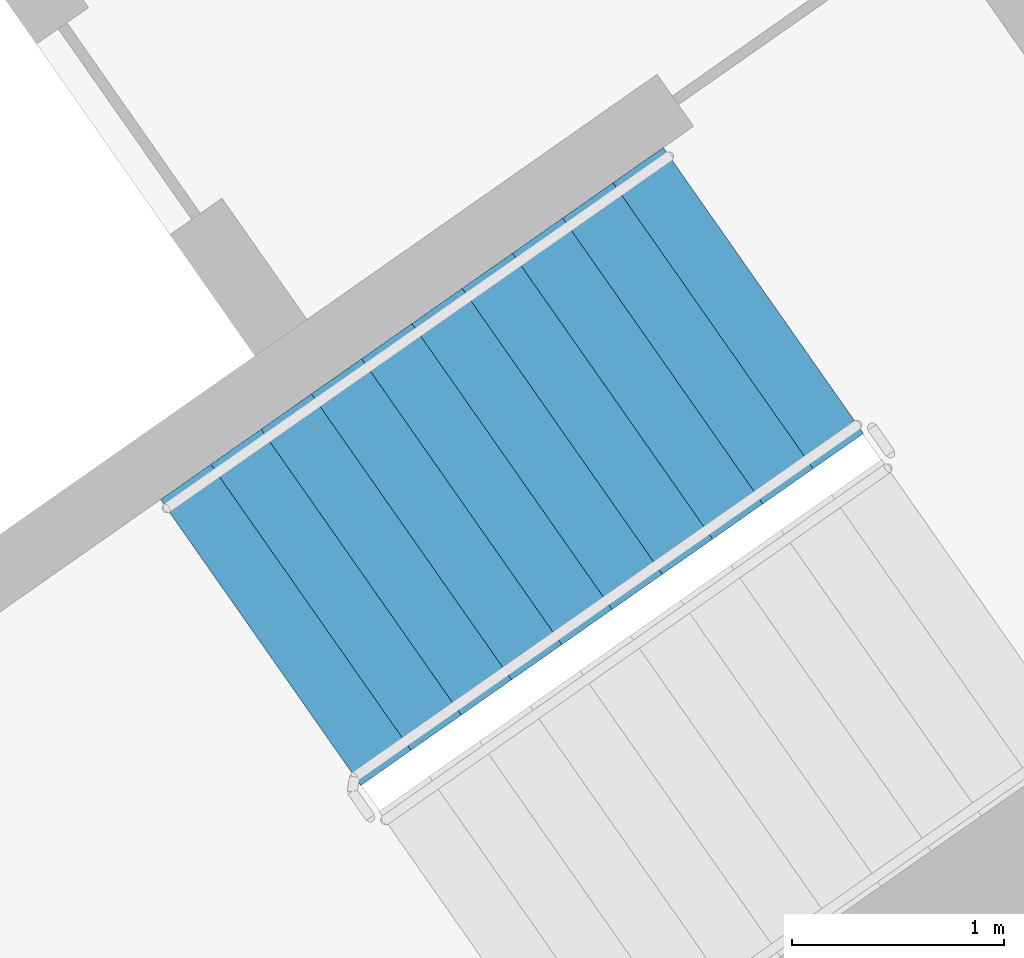
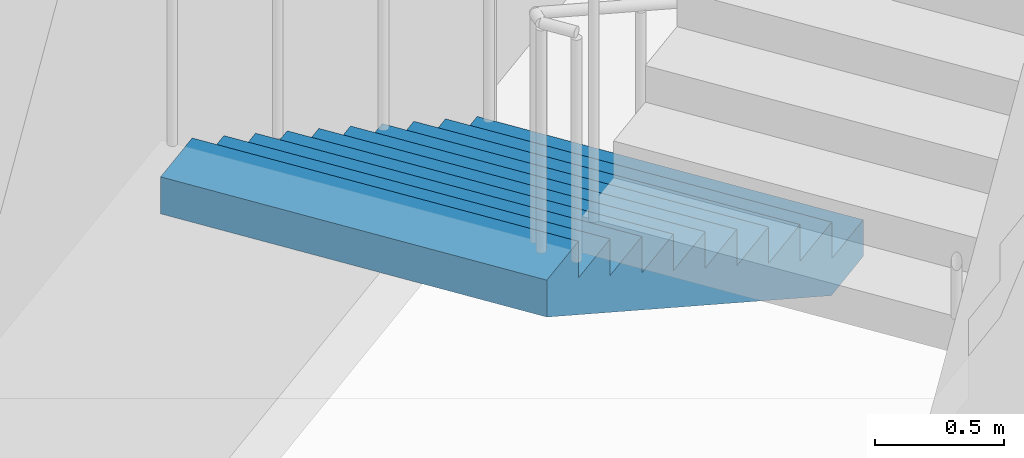
# One storey, part 14 of 28: 1 stair flight, 1 element without a shape of its own.
"""IFC4 building model written with IfcOpenShell, lengths in metres."""

import ifcopenshell
import ifcopenshell.guid

model = None  # the IFC model being written
_history = None  # IfcOwnerHistory: only IFC2X3 demands one
_inside = {}  # id of a spatial element -> (the spatial element, [elements in it])
_under = {}  # id of a project, library or spatial element -> (it, [spatial elements below it])
_declared = {}  # id of a project -> (the project, [libraries it declares])
_typed = {}  # id of a type object -> (the type object, [elements of that type])
_made_of = {}  # id of a material, layer set ... -> (it, [elements and type objects made of it])


def new_model(schema):
    """Start an empty IFC model of exactly this schema.

    Asked for "IFC4X3", IfcOpenShell would pick the latest addendum, in which some entities
    have other attributes; the version numbers below select the first issue.
    IFC2X3 requires an IfcOwnerHistory on every rooted entity: one is made here for all.
    """
    global model, _history
    if schema == "IFC4X3":
        model = ifcopenshell.file(schema_version=(4, 3, 0, 0))
    else:
        model = ifcopenshell.file(schema=schema)
    _inside.clear()
    _under.clear()
    _declared.clear()
    _typed.clear()
    _made_of.clear()
    _history = None
    if model.schema == "IFC2X3":
        org = make("IfcOrganization", Name="unknown")
        user = make(
            "IfcPersonAndOrganization",
            ThePerson=make("IfcPerson", FamilyName="unknown"),
            TheOrganization=org,
        )
        app = make(
            "IfcApplication",
            ApplicationDeveloper=org,
            Version="unknown",
            ApplicationFullName="unknown",
            ApplicationIdentifier="unknown",
        )
        _history = make(
            "IfcOwnerHistory",
            OwningUser=user,
            OwningApplication=app,
            ChangeAction="ADDED",
            CreationDate=0,
        )
    return model


def make(cls, **values):
    """One entity of the class cls with the attributes given. An attribute that is None is left unset."""
    return model.create_entity(
        cls, **{name: value for name, value in values.items() if value is not None}
    )


def rooted(cls, **values):
    """An entity with a GlobalId (a new one), such as an element, a storey or a relation."""
    return make(cls, GlobalId=ifcopenshell.guid.new(), OwnerHistory=_history, **values)


def si_unit(unit_type, name, prefix=None):
    """IfcSIUnit, for example si_unit("LENGTHUNIT", "METRE", prefix="MILLI")."""
    return make("IfcSIUnit", UnitType=unit_type, Prefix=prefix, Name=name)


def assignment(units):
    """IfcUnitAssignment: the units of a project."""
    return None if units is None else make("IfcUnitAssignment", Units=units)


def point(xyz):
    """IfcCartesianPoint."""
    return None if xyz is None else make("IfcCartesianPoint", Coordinates=xyz)


def direction(xyz):
    """IfcDirection."""
    return None if xyz is None else make("IfcDirection", DirectionRatios=xyz)


def frame(location, z_axis=None, x_axis=None):
    """IfcAxis2Placement3D, a coordinate frame: its origin and axes. An axis left out is left unset."""
    return make(
        "IfcAxis2Placement3D",
        Location=point(location),
        Axis=direction(z_axis),
        RefDirection=direction(x_axis),
    )


def origin():
    """The frame at (0, 0, 0) with its axes left unset."""
    return frame((0.0, 0.0, 0.0))


def place(relative_to, where):
    """IfcLocalPlacement: puts the frame where relative to a parent placement (None: the world)."""
    return make(
        "IfcLocalPlacement", PlacementRelTo=relative_to, RelativePlacement=where
    )


def context(
    kind, dimensions, precision=None, world=None, true_north=None, identifier=None
):
    """IfcGeometricRepresentationContext, for example the 3D "Model" context."""
    return make(
        "IfcGeometricRepresentationContext",
        ContextIdentifier=identifier,
        ContextType=kind,
        CoordinateSpaceDimension=dimensions,
        Precision=precision,
        WorldCoordinateSystem=world,
        TrueNorth=true_north,
    )


def subcontext(parent, identifier, kind, view, scale=None):
    """IfcGeometricRepresentationSubContext, for example "Body" below "Model"."""
    return make(
        "IfcGeometricRepresentationSubContext",
        ContextIdentifier=identifier,
        ContextType=kind,
        ParentContext=parent,
        TargetScale=scale,
        TargetView=view,
    )


def project(units=None, contexts=None):
    """IfcProject with its units and contexts."""
    return rooted(
        "IfcProject",
        Name="project",
        RepresentationContexts=contexts,
        UnitsInContext=assignment(units),
    )


def spatial(cls, under=None, at=None, **own):
    """A site, building, storey or space (cls), placed at a placement, below another one or the project."""
    s = rooted(cls, ObjectPlacement=at, **own)
    if under is not None:
        _under.setdefault(under.id(), (under, []))[1].append(s)
    return s


def faces_of(points, faces, orient=None, outer=None):
    """IfcFace entities. A face is a list of loops; a loop is a list of indices into points, from 0.

    orient and outer hold one flag for each loop. By default every Orientation is true, the
    first loop of a face is its IfcFaceOuterBound and the others are IfcFaceBound.
    """
    made = []
    for i, loops in enumerate(faces):
        bounds = []
        for j, loop in enumerate(loops):
            is_outer = j == 0 if outer is None else outer[i][j]
            bounds.append(
                make(
                    "IfcFaceOuterBound" if is_outer else "IfcFaceBound",
                    Bound=make("IfcPolyLoop", Polygon=[points[k] for k in loop]),
                    Orientation=True if orient is None else orient[i][j],
                )
            )
        made.append(make("IfcFace", Bounds=bounds))
    return made


def faceted_brep(points, faces, orient=None, outer=None, voids=None):
    """IfcFacetedBrep: a solid bounded by flat faces; with voids (closed shells), ...WithVoids."""
    shared = [point(p) for p in points]
    hull = make("IfcClosedShell", CfsFaces=faces_of(shared, faces, orient, outer))
    if voids is None:
        return make("IfcFacetedBrep", Outer=hull)
    return make(
        "IfcFacetedBrepWithVoids",
        Outer=hull,
        Voids=[
            make(cls, CfsFaces=faces_of(shared, fs, o, b)) for cls, fs, o, b in voids
        ],
    )


def shape(context_of_items, identifier, shape_type, items):
    """IfcShapeRepresentation: the items that make up one representation, for example the "Body"."""
    return make(
        "IfcShapeRepresentation",
        ContextOfItems=context_of_items,
        RepresentationIdentifier=identifier,
        RepresentationType=shape_type,
        Items=items,
    )


def material(Name=None, Category=None):
    """IfcMaterial."""
    return make("IfcMaterial", Name=Name, Category=Category)


def made_of(thing, what):
    """Note that an element or type object is made of a material, layer set ...; save() writes the relation."""
    if what is not None:
        _made_of.setdefault(what.id(), (what, []))[1].append(thing)
    return thing


def type_object(cls, material=None, **own):
    """A type object (cls), such as IfcWallType, which elements share."""
    return made_of(rooted(cls, **own), material)


def element(
    cls,
    number,
    at=None,
    inside=None,
    cuts=None,
    type_object=None,
    material=None,
    context=None,
    identifier="Body",
    shape_type=None,
    held_by="IfcProductDefinitionShape",
    body=None,
    shapes=None,
    **own,
):
    """One element of the class cls, such as IfcWall. Its Tag is "e" and its number.

    at: its placement. inside: the storey or other place that contains it. cuts: it is an
    opening in that element (IfcRelVoidsElement). A single representation is given by context,
    identifier, shape_type and body (its items); several are given by shapes. held_by: the class
    of the entity that holds the representations. save() writes the other relations.
    """
    e = rooted(cls, Tag="e%d" % number, ObjectPlacement=at, **own)
    if body is not None:
        shapes = [shape(context, identifier, shape_type, body)]
    if shapes is not None:
        e.Representation = make(held_by, Representations=shapes)
    if inside is not None:
        _inside.setdefault(inside.id(), (inside, []))[1].append(e)
    if cuts is not None:
        rooted(
            "IfcRelVoidsElement", RelatingBuildingElement=cuts, RelatedOpeningElement=e
        )
    if type_object is not None:
        _typed.setdefault(type_object.id(), (type_object, []))[1].append(e)
    return made_of(e, material)


def aggregate(whole, parts):
    """IfcRelAggregates: a whole, such as a stair, and the parts it consists of."""
    return rooted("IfcRelAggregates", RelatingObject=whole, RelatedObjects=parts)


def save(model, path):
    """Write the relations noted so far, then the file.

    IfcRelAggregates (storeys below a building ...), IfcRelContainedInSpatialStructure (elements
    in a storey), IfcRelDefinesByType, IfcRelAssociatesMaterial and IfcRelDeclares: one each for
    every whole, place, type object, material and project.
    """
    for whole, parts in _under.values():
        aggregate(whole, parts)
    for where, things in _inside.values():
        rooted(
            "IfcRelContainedInSpatialStructure",
            RelatedElements=things,
            RelatingStructure=where,
        )
    for kind, things in _typed.values():
        rooted("IfcRelDefinesByType", RelatedObjects=things, RelatingType=kind)
    for what, things in _made_of.values():
        rooted("IfcRelAssociatesMaterial", RelatedObjects=things, RelatingMaterial=what)
    for by, libraries in _declared.values():
        rooted("IfcRelDeclares", RelatingContext=by, RelatedDefinitions=libraries)
    model.write(path)


model = new_model("IFC4")

# Units and contexts
model_context = context("Model", 3, precision=1e-05, world=origin(), true_north=direction((0.0, 1.0)))
body_context = subcontext(model_context, "Body", "Model", "MODEL_VIEW")
ifc_project = project(units=[si_unit("LENGTHUNIT", "METRE"), si_unit("AREAUNIT", "SQUARE_METRE"), si_unit("VOLUMEUNIT", "CUBIC_METRE"), si_unit("PLANEANGLEUNIT", "RADIAN"), si_unit("MASSUNIT", "GRAM", prefix="KILO")], contexts=[model_context])

# Site, building, storey
site_placement = place(None, origin())
site = spatial("IfcSite", under=ifc_project, at=site_placement, CompositionType="ELEMENT")
building_placement = place(site_placement, origin())
building = spatial("IfcBuilding", under=site, at=building_placement, Name="Qamariyya Broadcast Tower", CompositionType="ELEMENT")
storey_placement = place(building_placement, frame((0.0, 0.0, 226.5)))
storey = spatial("IfcBuildingStorey", under=building, at=storey_placement, Name="L54", CompositionType="ELEMENT", Elevation=226.5)

# Stair, stair flight
ifc_material = material(Name="Concrete C50/60", Category="concrete")
stair_type = type_object("IfcStairType", Name="Exit stair 22 risers of 173 mm", PredefinedType="HALF_TURN_STAIR", material=ifc_material)
stair_placement = place(storey_placement, origin())
stair = element("IfcStair", 1, at=stair_placement, inside=storey, type_object=stair_type, Name="L54 Stair E1", PredefinedType="HALF_TURN_STAIR")
stair_flight_type = type_object("IfcStairFlightType", Name="Exit stair flight 11 risers of 173 mm", PredefinedType="STRAIGHT", material=ifc_material)
stair_flight_placement = place(storey_placement, frame((46.036376953125, -55.508056640625, 0.0), z_axis=(0.0, 0.0, 1.0), x_axis=(-0.819152044289, -0.573576436351, 0.0)))
stair_flight = element("IfcStairFlight", 2, at=stair_flight_placement, type_object=stair_flight_type, Name="ST-E1 flight 1", NumberOfRisers=11, NumberOfTreads=10, PredefinedType="STRAIGHT", RiserHeight=0.172727273, TreadLength=0.29, context=body_context, shape_type="Brep", body=[
    faceted_brep([(0.0, 0.824951171875, 0.0), (0.0, 0.824951171875, 0.172607421875), (0.2900390625, 0.824951171875, 0.172607421875), (0.2900390625, 0.824951171875, 0.345458984375), (0.580078125, 0.824951171875, 0.345458984375), (0.580078125, 0.824951171875, 0.51806640625), (0.8701171875, 0.824951171875, 0.51806640625), (0.8701171875, 0.824951171875, 0.69091796875), (1.159912109375, 0.824951171875, 0.69091796875), (1.159912109375, 0.824951171875, 0.863525390625), (1.449951171875, 0.824951171875, 0.863525390625), (1.449951171875, 0.824951171875, 1.036376953125), (1.739990234375, 0.824951171875, 1.036376953125), (1.739990234375, 0.824951171875, 1.208984375), (2.030029296875, 0.824951171875, 1.208984375), (2.030029296875, 0.824951171875, 1.3818359375), (2.320068359375, 0.824951171875, 1.3818359375), (2.320068359375, 0.824951171875, 1.554443359375), (2.610107421875, 0.824951171875, 1.554443359375), (2.610107421875, 0.824951171875, 1.727294921875), (2.89990234375, 0.824951171875, 1.727294921875), (2.89990234375, 0.824951171875, 1.552734375), (0.29296875, 0.824951171875, 0.0), (0.29296875, -0.824951171875, 0.0), (2.89990234375, -0.824951171875, 1.552734375), (2.89990234375, -0.824951171875, 1.727294921875), (2.610107421875, -0.824951171875, 1.727294921875), (2.610107421875, -0.824951171875, 1.554443359375), (2.320068359375, -0.824951171875, 1.554443359375), (2.320068359375, -0.824951171875, 1.3818359375), (2.030029296875, -0.824951171875, 1.3818359375), (2.030029296875, -0.824951171875, 1.208984375), (1.739990234375, -0.824951171875, 1.208984375), (1.739990234375, -0.824951171875, 1.036376953125), (1.449951171875, -0.824951171875, 1.036376953125), (1.449951171875, -0.824951171875, 0.863525390625), (1.159912109375, -0.824951171875, 0.863525390625), (1.159912109375, -0.824951171875, 0.69091796875), (0.8701171875, -0.824951171875, 0.69091796875), (0.8701171875, -0.824951171875, 0.51806640625), (0.580078125, -0.824951171875, 0.51806640625), (0.580078125, -0.824951171875, 0.345458984375), (0.2900390625, -0.824951171875, 0.345458984375), (0.2900390625, -0.824951171875, 0.172607421875), (0.0, -0.824951171875, 0.172607421875), (0.0, -0.824951171875, 0.0), (0.0, 0.10009765625, 0.0), (0.0, 0.086669921875, 0.0), (0.0, 0.0732421875, 0.0), (0.0, 0.06005859375, 0.0), (0.0, 0.046630859375, 0.0), (0.0, 0.033447265625, 0.0), (0.0, 0.02001953125, 0.0), (0.0, 0.006591796875, 0.0), (0.0, -0.006591796875, 0.0), (0.0, -0.02001953125, 0.0), (0.0, -0.033447265625, 0.0), (0.0, -0.046630859375, 0.0), (0.0, -0.06005859375, 0.0), (0.0, -0.0732421875, 0.0), (0.0, -0.086669921875, 0.0), (0.0, -0.10009765625, 0.0), (0.0, -0.10009765625, 0.172607421875), (0.0, -0.086669921875, 0.172607421875), (0.0, -0.0732421875, 0.172607421875), (0.0, -0.06005859375, 0.172607421875), (0.0, -0.046630859375, 0.172607421875), (0.0, -0.033447265625, 0.172607421875), (0.0, -0.02001953125, 0.172607421875), (0.0, -0.006591796875, 0.172607421875), (0.0, 0.006591796875, 0.172607421875), (0.0, 0.02001953125, 0.172607421875), (0.0, 0.033447265625, 0.172607421875), (0.0, 0.046630859375, 0.172607421875), (0.0, 0.06005859375, 0.172607421875), (0.0, 0.0732421875, 0.172607421875), (0.0, 0.086669921875, 0.172607421875), (0.0, 0.10009765625, 0.172607421875), (0.2900390625, -0.10009765625, 0.172607421875), (0.2900390625, -0.086669921875, 0.172607421875), (0.2900390625, -0.0732421875, 0.172607421875), (0.2900390625, -0.06005859375, 0.172607421875), (0.2900390625, -0.046630859375, 0.172607421875), (0.2900390625, -0.033447265625, 0.172607421875), (0.2900390625, -0.02001953125, 0.172607421875), (0.2900390625, -0.006591796875, 0.172607421875), (0.2900390625, 0.006591796875, 0.172607421875), (0.2900390625, 0.02001953125, 0.172607421875), (0.2900390625, 0.033447265625, 0.172607421875), (0.2900390625, 0.046630859375, 0.172607421875), (0.2900390625, 0.06005859375, 0.172607421875), (0.2900390625, 0.0732421875, 0.172607421875), (0.2900390625, 0.086669921875, 0.172607421875), (0.2900390625, 0.10009765625, 0.172607421875), (0.2900390625, -0.10009765625, 0.345458984375), (0.2900390625, -0.086669921875, 0.345458984375), (0.2900390625, -0.0732421875, 0.345458984375), (0.2900390625, -0.06005859375, 0.345458984375), (0.2900390625, -0.046630859375, 0.345458984375), (0.2900390625, -0.033447265625, 0.345458984375), (0.2900390625, -0.02001953125, 0.345458984375), (0.2900390625, -0.006591796875, 0.345458984375), (0.2900390625, 0.006591796875, 0.345458984375), (0.2900390625, 0.02001953125, 0.345458984375), (0.2900390625, 0.033447265625, 0.345458984375), (0.2900390625, 0.046630859375, 0.345458984375), (0.2900390625, 0.06005859375, 0.345458984375), (0.2900390625, 0.0732421875, 0.345458984375), (0.2900390625, 0.086669921875, 0.345458984375), (0.2900390625, 0.10009765625, 0.345458984375), (0.580078125, -0.10009765625, 0.345458984375), (0.580078125, -0.086669921875, 0.345458984375), (0.580078125, -0.0732421875, 0.345458984375), (0.580078125, -0.06005859375, 0.345458984375), (0.580078125, -0.046630859375, 0.345458984375), (0.580078125, -0.033447265625, 0.345458984375), (0.580078125, -0.02001953125, 0.345458984375), (0.580078125, -0.006591796875, 0.345458984375), (0.580078125, 0.006591796875, 0.345458984375), (0.580078125, 0.02001953125, 0.345458984375), (0.580078125, 0.033447265625, 0.345458984375), (0.580078125, 0.046630859375, 0.345458984375), (0.580078125, 0.06005859375, 0.345458984375), (0.580078125, 0.0732421875, 0.345458984375), (0.580078125, 0.086669921875, 0.345458984375), (0.580078125, 0.10009765625, 0.345458984375), (0.580078125, -0.10009765625, 0.51806640625), (0.580078125, -0.086669921875, 0.51806640625), (0.580078125, -0.0732421875, 0.51806640625), (0.580078125, -0.06005859375, 0.51806640625), (0.580078125, -0.046630859375, 0.51806640625), (0.580078125, -0.033447265625, 0.51806640625), (0.580078125, -0.02001953125, 0.51806640625), (0.580078125, -0.006591796875, 0.51806640625), (0.580078125, 0.006591796875, 0.51806640625), (0.580078125, 0.02001953125, 0.51806640625), (0.580078125, 0.033447265625, 0.51806640625), (0.580078125, 0.046630859375, 0.51806640625), (0.580078125, 0.06005859375, 0.51806640625), (0.580078125, 0.0732421875, 0.51806640625), (0.580078125, 0.086669921875, 0.51806640625), (0.580078125, 0.10009765625, 0.51806640625), (0.8701171875, -0.10009765625, 0.51806640625), (0.8701171875, -0.086669921875, 0.51806640625), (0.8701171875, -0.0732421875, 0.51806640625), (0.8701171875, -0.06005859375, 0.51806640625), (0.8701171875, -0.046630859375, 0.51806640625), (0.8701171875, -0.033447265625, 0.51806640625), (0.8701171875, -0.02001953125, 0.51806640625), (0.8701171875, -0.006591796875, 0.51806640625), (0.8701171875, 0.006591796875, 0.51806640625), (0.8701171875, 0.02001953125, 0.51806640625), (0.8701171875, 0.033447265625, 0.51806640625), (0.8701171875, 0.046630859375, 0.51806640625), (0.8701171875, 0.06005859375, 0.51806640625), (0.8701171875, 0.0732421875, 0.51806640625), (0.8701171875, 0.086669921875, 0.51806640625), (0.8701171875, 0.10009765625, 0.51806640625), (0.8701171875, -0.10009765625, 0.69091796875), (0.8701171875, -0.086669921875, 0.69091796875), (0.8701171875, -0.0732421875, 0.69091796875), (0.8701171875, -0.06005859375, 0.69091796875), (0.8701171875, -0.046630859375, 0.69091796875), (0.8701171875, -0.033447265625, 0.69091796875), (0.8701171875, -0.02001953125, 0.69091796875), (0.8701171875, -0.006591796875, 0.69091796875), (0.8701171875, 0.006591796875, 0.69091796875), (0.8701171875, 0.02001953125, 0.69091796875), (0.8701171875, 0.033447265625, 0.69091796875), (0.8701171875, 0.046630859375, 0.69091796875), (0.8701171875, 0.06005859375, 0.69091796875), (0.8701171875, 0.0732421875, 0.69091796875), (0.8701171875, 0.086669921875, 0.69091796875), (0.8701171875, 0.10009765625, 0.69091796875), (1.159912109375, -0.10009765625, 0.69091796875), (1.159912109375, -0.086669921875, 0.69091796875), (1.159912109375, -0.0732421875, 0.69091796875), (1.159912109375, -0.06005859375, 0.69091796875), (1.159912109375, -0.046630859375, 0.69091796875), (1.159912109375, -0.033447265625, 0.69091796875), (1.159912109375, -0.02001953125, 0.69091796875), (1.159912109375, -0.006591796875, 0.69091796875), (1.159912109375, 0.006591796875, 0.69091796875), (1.159912109375, 0.02001953125, 0.69091796875), (1.159912109375, 0.033447265625, 0.69091796875), (1.159912109375, 0.046630859375, 0.69091796875), (1.159912109375, 0.06005859375, 0.69091796875), (1.159912109375, 0.0732421875, 0.69091796875), (1.159912109375, 0.086669921875, 0.69091796875), (1.159912109375, 0.10009765625, 0.69091796875), (1.159912109375, -0.10009765625, 0.863525390625), (1.159912109375, -0.086669921875, 0.863525390625), (1.159912109375, -0.0732421875, 0.863525390625), (1.159912109375, -0.06005859375, 0.863525390625), (1.159912109375, -0.046630859375, 0.863525390625), (1.159912109375, -0.033447265625, 0.863525390625), (1.159912109375, -0.02001953125, 0.863525390625), (1.159912109375, -0.006591796875, 0.863525390625), (1.159912109375, 0.006591796875, 0.863525390625), (1.159912109375, 0.02001953125, 0.863525390625), (1.159912109375, 0.033447265625, 0.863525390625), (1.159912109375, 0.046630859375, 0.863525390625), (1.159912109375, 0.06005859375, 0.863525390625), (1.159912109375, 0.0732421875, 0.863525390625), (1.159912109375, 0.086669921875, 0.863525390625), (1.159912109375, 0.10009765625, 0.863525390625), (1.449951171875, -0.10009765625, 0.863525390625), (1.449951171875, -0.086669921875, 0.863525390625), (1.449951171875, -0.0732421875, 0.863525390625), (1.449951171875, -0.06005859375, 0.863525390625), (1.449951171875, -0.046630859375, 0.863525390625), (1.449951171875, -0.033447265625, 0.863525390625), (1.449951171875, -0.02001953125, 0.863525390625), (1.449951171875, -0.006591796875, 0.863525390625), (1.449951171875, 0.006591796875, 0.863525390625), (1.449951171875, 0.02001953125, 0.863525390625), (1.449951171875, 0.033447265625, 0.863525390625), (1.449951171875, 0.046630859375, 0.863525390625), (1.449951171875, 0.06005859375, 0.863525390625), (1.449951171875, 0.0732421875, 0.863525390625), (1.449951171875, 0.086669921875, 0.863525390625), (1.449951171875, 0.10009765625, 0.863525390625), (1.449951171875, -0.10009765625, 1.036376953125), (1.449951171875, -0.086669921875, 1.036376953125), (1.449951171875, -0.0732421875, 1.036376953125), (1.449951171875, -0.06005859375, 1.036376953125), (1.449951171875, -0.046630859375, 1.036376953125), (1.449951171875, -0.033447265625, 1.036376953125), (1.449951171875, -0.02001953125, 1.036376953125), (1.449951171875, -0.006591796875, 1.036376953125), (1.449951171875, 0.006591796875, 1.036376953125), (1.449951171875, 0.02001953125, 1.036376953125), (1.449951171875, 0.033447265625, 1.036376953125), (1.449951171875, 0.046630859375, 1.036376953125), (1.449951171875, 0.06005859375, 1.036376953125), (1.449951171875, 0.0732421875, 1.036376953125), (1.449951171875, 0.086669921875, 1.036376953125), (1.449951171875, 0.10009765625, 1.036376953125), (1.739990234375, -0.10009765625, 1.036376953125), (1.739990234375, -0.086669921875, 1.036376953125), (1.739990234375, -0.0732421875, 1.036376953125), (1.739990234375, -0.06005859375, 1.036376953125), (1.739990234375, -0.046630859375, 1.036376953125), (1.739990234375, -0.033447265625, 1.036376953125), (1.739990234375, -0.02001953125, 1.036376953125), (1.739990234375, -0.006591796875, 1.036376953125), (1.739990234375, 0.006591796875, 1.036376953125), (1.739990234375, 0.02001953125, 1.036376953125), (1.739990234375, 0.033447265625, 1.036376953125), (1.739990234375, 0.046630859375, 1.036376953125), (1.739990234375, 0.06005859375, 1.036376953125), (1.739990234375, 0.0732421875, 1.036376953125), (1.739990234375, 0.086669921875, 1.036376953125), (1.739990234375, 0.10009765625, 1.036376953125), (1.739990234375, -0.10009765625, 1.208984375), (1.739990234375, -0.086669921875, 1.208984375), (1.739990234375, -0.0732421875, 1.208984375), (1.739990234375, -0.06005859375, 1.208984375), (1.739990234375, -0.046630859375, 1.208984375), (1.739990234375, -0.033447265625, 1.208984375), (1.739990234375, -0.02001953125, 1.208984375), (1.739990234375, -0.006591796875, 1.208984375), (1.739990234375, 0.006591796875, 1.208984375), (1.739990234375, 0.02001953125, 1.208984375), (1.739990234375, 0.033447265625, 1.208984375), (1.739990234375, 0.046630859375, 1.208984375), (1.739990234375, 0.06005859375, 1.208984375), (1.739990234375, 0.0732421875, 1.208984375), (1.739990234375, 0.086669921875, 1.208984375), (1.739990234375, 0.10009765625, 1.208984375), (2.030029296875, -0.10009765625, 1.208984375), (2.030029296875, -0.086669921875, 1.208984375), (2.030029296875, -0.0732421875, 1.208984375), (2.030029296875, -0.06005859375, 1.208984375), (2.030029296875, -0.046630859375, 1.208984375), (2.030029296875, -0.033447265625, 1.208984375), (2.030029296875, -0.02001953125, 1.208984375), (2.030029296875, -0.006591796875, 1.208984375), (2.030029296875, 0.006591796875, 1.208984375), (2.030029296875, 0.02001953125, 1.208984375), (2.030029296875, 0.033447265625, 1.208984375), (2.030029296875, 0.046630859375, 1.208984375), (2.030029296875, 0.06005859375, 1.208984375), (2.030029296875, 0.0732421875, 1.208984375), (2.030029296875, 0.086669921875, 1.208984375), (2.030029296875, 0.10009765625, 1.208984375), (2.030029296875, -0.10009765625, 1.3818359375), (2.030029296875, -0.086669921875, 1.3818359375), (2.030029296875, -0.0732421875, 1.3818359375), (2.030029296875, -0.06005859375, 1.3818359375), (2.030029296875, -0.046630859375, 1.3818359375), (2.030029296875, -0.033447265625, 1.3818359375), (2.030029296875, -0.02001953125, 1.3818359375), (2.030029296875, -0.006591796875, 1.3818359375), (2.030029296875, 0.006591796875, 1.3818359375), (2.030029296875, 0.02001953125, 1.3818359375), (2.030029296875, 0.033447265625, 1.3818359375), (2.030029296875, 0.046630859375, 1.3818359375), (2.030029296875, 0.06005859375, 1.3818359375), (2.030029296875, 0.0732421875, 1.3818359375), (2.030029296875, 0.086669921875, 1.3818359375), (2.030029296875, 0.10009765625, 1.3818359375), (2.320068359375, -0.10009765625, 1.3818359375), (2.320068359375, -0.086669921875, 1.3818359375), (2.320068359375, -0.0732421875, 1.3818359375), (2.320068359375, -0.06005859375, 1.3818359375), (2.320068359375, -0.046630859375, 1.3818359375), (2.320068359375, -0.033447265625, 1.3818359375), (2.320068359375, -0.02001953125, 1.3818359375), (2.320068359375, -0.006591796875, 1.3818359375), (2.320068359375, 0.006591796875, 1.3818359375), (2.320068359375, 0.02001953125, 1.3818359375), (2.320068359375, 0.033447265625, 1.3818359375), (2.320068359375, 0.046630859375, 1.3818359375), (2.320068359375, 0.06005859375, 1.3818359375), (2.320068359375, 0.0732421875, 1.3818359375), (2.320068359375, 0.086669921875, 1.3818359375), (2.320068359375, 0.10009765625, 1.3818359375), (2.320068359375, -0.10009765625, 1.554443359375), (2.320068359375, -0.086669921875, 1.554443359375), (2.320068359375, -0.0732421875, 1.554443359375), (2.320068359375, -0.06005859375, 1.554443359375), (2.320068359375, -0.046630859375, 1.554443359375), (2.320068359375, -0.033447265625, 1.554443359375), (2.320068359375, -0.02001953125, 1.554443359375), (2.320068359375, -0.006591796875, 1.554443359375), (2.320068359375, 0.006591796875, 1.554443359375), (2.320068359375, 0.02001953125, 1.554443359375), (2.320068359375, 0.033447265625, 1.554443359375), (2.320068359375, 0.046630859375, 1.554443359375), (2.320068359375, 0.06005859375, 1.554443359375), (2.320068359375, 0.0732421875, 1.554443359375), (2.320068359375, 0.086669921875, 1.554443359375), (2.320068359375, 0.10009765625, 1.554443359375), (2.610107421875, -0.10009765625, 1.554443359375), (2.610107421875, -0.086669921875, 1.554443359375), (2.610107421875, -0.0732421875, 1.554443359375), (2.610107421875, -0.06005859375, 1.554443359375), (2.610107421875, -0.046630859375, 1.554443359375), (2.610107421875, -0.033447265625, 1.554443359375), (2.610107421875, -0.02001953125, 1.554443359375), (2.610107421875, -0.006591796875, 1.554443359375), (2.610107421875, 0.006591796875, 1.554443359375), (2.610107421875, 0.02001953125, 1.554443359375), (2.610107421875, 0.033447265625, 1.554443359375), (2.610107421875, 0.046630859375, 1.554443359375), (2.610107421875, 0.06005859375, 1.554443359375), (2.610107421875, 0.0732421875, 1.554443359375), (2.610107421875, 0.086669921875, 1.554443359375), (2.610107421875, 0.10009765625, 1.554443359375), (2.610107421875, -0.10009765625, 1.727294921875), (2.610107421875, -0.086669921875, 1.727294921875), (2.610107421875, -0.0732421875, 1.727294921875), (2.610107421875, -0.06005859375, 1.727294921875), (2.610107421875, -0.046630859375, 1.727294921875), (2.610107421875, -0.033447265625, 1.727294921875), (2.610107421875, -0.02001953125, 1.727294921875), (2.610107421875, -0.006591796875, 1.727294921875), (2.610107421875, 0.006591796875, 1.727294921875), (2.610107421875, 0.02001953125, 1.727294921875), (2.610107421875, 0.033447265625, 1.727294921875), (2.610107421875, 0.046630859375, 1.727294921875), (2.610107421875, 0.06005859375, 1.727294921875), (2.610107421875, 0.0732421875, 1.727294921875), (2.610107421875, 0.086669921875, 1.727294921875), (2.610107421875, 0.10009765625, 1.727294921875), (2.89990234375, -0.10009765625, 1.727294921875), (2.89990234375, -0.086669921875, 1.727294921875), (2.89990234375, -0.0732421875, 1.727294921875), (2.89990234375, -0.06005859375, 1.727294921875), (2.89990234375, -0.046630859375, 1.727294921875), (2.89990234375, -0.033447265625, 1.727294921875), (2.89990234375, -0.02001953125, 1.727294921875), (2.89990234375, -0.006591796875, 1.727294921875), (2.89990234375, 0.006591796875, 1.727294921875), (2.89990234375, 0.02001953125, 1.727294921875), (2.89990234375, 0.033447265625, 1.727294921875), (2.89990234375, 0.046630859375, 1.727294921875), (2.89990234375, 0.06005859375, 1.727294921875), (2.89990234375, 0.0732421875, 1.727294921875), (2.89990234375, 0.086669921875, 1.727294921875), (2.89990234375, 0.10009765625, 1.727294921875), (2.89990234375, -0.10009765625, 1.552734375), (2.89990234375, -0.086669921875, 1.552734375), (2.89990234375, -0.0732421875, 1.552734375), (2.89990234375, -0.06005859375, 1.552734375), (2.89990234375, -0.046630859375, 1.552734375), (2.89990234375, -0.033447265625, 1.552734375), (2.89990234375, -0.02001953125, 1.552734375), (2.89990234375, -0.006591796875, 1.552734375), (2.89990234375, 0.006591796875, 1.552734375), (2.89990234375, 0.02001953125, 1.552734375), (2.89990234375, 0.033447265625, 1.552734375), (2.89990234375, 0.046630859375, 1.552734375), (2.89990234375, 0.06005859375, 1.552734375), (2.89990234375, 0.0732421875, 1.552734375), (2.89990234375, 0.086669921875, 1.552734375), (2.89990234375, 0.10009765625, 1.552734375), (0.29296875, -0.10009765625, 0.0), (0.29296875, -0.086669921875, 0.0), (0.29296875, -0.0732421875, 0.0), (0.29296875, -0.06005859375, 0.0), (0.29296875, -0.046630859375, 0.0), (0.29296875, -0.033447265625, 0.0), (0.29296875, -0.02001953125, 0.0), (0.29296875, -0.006591796875, 0.0), (0.29296875, 0.006591796875, 0.0), (0.29296875, 0.02001953125, 0.0), (0.29296875, 0.033447265625, 0.0), (0.29296875, 0.046630859375, 0.0), (0.29296875, 0.06005859375, 0.0), (0.29296875, 0.0732421875, 0.0), (0.29296875, 0.086669921875, 0.0), (0.29296875, 0.10009765625, 0.0)], [[[0, 1, 2, 3, 4, 5, 6, 7, 8, 9, 10, 11, 12, 13, 14, 15, 16, 17, 18, 19, 20, 21, 22]], [[23, 24, 25, 26, 27, 28, 29, 30, 31, 32, 33, 34, 35, 36, 37, 38, 39, 40, 41, 42, 43, 44, 45]], [[0, 46, 47, 48, 49, 50, 51, 52, 53, 54, 55, 56, 57, 58, 59, 60, 61, 45, 44, 62, 63, 64, 65, 66, 67, 68, 69, 70, 71, 72, 73, 74, 75, 76, 77, 1]], [[1, 77, 76, 75, 74, 73, 72, 71, 70, 69, 68, 67, 66, 65, 64, 63, 62, 44, 43, 78, 79, 80, 81, 82, 83, 84, 85, 86, 87, 88, 89, 90, 91, 92, 93, 2]], [[2, 93, 92, 91, 90, 89, 88, 87, 86, 85, 84, 83, 82, 81, 80, 79, 78, 43, 42, 94, 95, 96, 97, 98, 99, 100, 101, 102, 103, 104, 105, 106, 107, 108, 109, 3]], [[3, 109, 108, 107, 106, 105, 104, 103, 102, 101, 100, 99, 98, 97, 96, 95, 94, 42, 41, 110, 111, 112, 113, 114, 115, 116, 117, 118, 119, 120, 121, 122, 123, 124, 125, 4]], [[4, 125, 124, 123, 122, 121, 120, 119, 118, 117, 116, 115, 114, 113, 112, 111, 110, 41, 40, 126, 127, 128, 129, 130, 131, 132, 133, 134, 135, 136, 137, 138, 139, 140, 141, 5]], [[5, 141, 140, 139, 138, 137, 136, 135, 134, 133, 132, 131, 130, 129, 128, 127, 126, 40, 39, 142, 143, 144, 145, 146, 147, 148, 149, 150, 151, 152, 153, 154, 155, 156, 157, 6]], [[6, 157, 156, 155, 154, 153, 152, 151, 150, 149, 148, 147, 146, 145, 144, 143, 142, 39, 38, 158, 159, 160, 161, 162, 163, 164, 165, 166, 167, 168, 169, 170, 171, 172, 173, 7]], [[7, 173, 172, 171, 170, 169, 168, 167, 166, 165, 164, 163, 162, 161, 160, 159, 158, 38, 37, 174, 175, 176, 177, 178, 179, 180, 181, 182, 183, 184, 185, 186, 187, 188, 189, 8]], [[8, 189, 188, 187, 186, 185, 184, 183, 182, 181, 180, 179, 178, 177, 176, 175, 174, 37, 36, 190, 191, 192, 193, 194, 195, 196, 197, 198, 199, 200, 201, 202, 203, 204, 205, 9]], [[9, 205, 204, 203, 202, 201, 200, 199, 198, 197, 196, 195, 194, 193, 192, 191, 190, 36, 35, 206, 207, 208, 209, 210, 211, 212, 213, 214, 215, 216, 217, 218, 219, 220, 221, 10]], [[10, 221, 220, 219, 218, 217, 216, 215, 214, 213, 212, 211, 210, 209, 208, 207, 206, 35, 34, 222, 223, 224, 225, 226, 227, 228, 229, 230, 231, 232, 233, 234, 235, 236, 237, 11]], [[11, 237, 236, 235, 234, 233, 232, 231, 230, 229, 228, 227, 226, 225, 224, 223, 222, 34, 33, 238, 239, 240, 241, 242, 243, 244, 245, 246, 247, 248, 249, 250, 251, 252, 253, 12]], [[12, 253, 252, 251, 250, 249, 248, 247, 246, 245, 244, 243, 242, 241, 240, 239, 238, 33, 32, 254, 255, 256, 257, 258, 259, 260, 261, 262, 263, 264, 265, 266, 267, 268, 269, 13]], [[13, 269, 268, 267, 266, 265, 264, 263, 262, 261, 260, 259, 258, 257, 256, 255, 254, 32, 31, 270, 271, 272, 273, 274, 275, 276, 277, 278, 279, 280, 281, 282, 283, 284, 285, 14]], [[14, 285, 284, 283, 282, 281, 280, 279, 278, 277, 276, 275, 274, 273, 272, 271, 270, 31, 30, 286, 287, 288, 289, 290, 291, 292, 293, 294, 295, 296, 297, 298, 299, 300, 301, 15]], [[15, 301, 300, 299, 298, 297, 296, 295, 294, 293, 292, 291, 290, 289, 288, 287, 286, 30, 29, 302, 303, 304, 305, 306, 307, 308, 309, 310, 311, 312, 313, 314, 315, 316, 317, 16]], [[16, 317, 316, 315, 314, 313, 312, 311, 310, 309, 308, 307, 306, 305, 304, 303, 302, 29, 28, 318, 319, 320, 321, 322, 323, 324, 325, 326, 327, 328, 329, 330, 331, 332, 333, 17]], [[17, 333, 332, 331, 330, 329, 328, 327, 326, 325, 324, 323, 322, 321, 320, 319, 318, 28, 27, 334, 335, 336, 337, 338, 339, 340, 341, 342, 343, 344, 345, 346, 347, 348, 349, 18]], [[18, 349, 348, 347, 346, 345, 344, 343, 342, 341, 340, 339, 338, 337, 336, 335, 334, 27, 26, 350, 351, 352, 353, 354, 355, 356, 357, 358, 359, 360, 361, 362, 363, 364, 365, 19]], [[19, 365, 364, 363, 362, 361, 360, 359, 358, 357, 356, 355, 354, 353, 352, 351, 350, 26, 25, 366, 367, 368, 369, 370, 371, 372, 373, 374, 375, 376, 377, 378, 379, 380, 381, 20]], [[20, 381, 380, 379, 378, 377, 376, 375, 374, 373, 372, 371, 370, 369, 368, 367, 366, 25, 24, 382, 383, 384, 385, 386, 387, 388, 389, 390, 391, 392, 393, 394, 395, 396, 397, 21]], [[21, 397, 396, 395, 394, 393, 392, 391, 390, 389, 388, 387, 386, 385, 384, 383, 382, 24, 23, 398, 399, 400, 401, 402, 403, 404, 405, 406, 407, 408, 409, 410, 411, 412, 413, 22]], [[22, 413, 412, 411, 410, 409, 408, 407, 406, 405, 404, 403, 402, 401, 400, 399, 398, 23, 45, 61, 60, 59, 58, 57, 56, 55, 54, 53, 52, 51, 50, 49, 48, 47, 46, 0]]]),
])
aggregate(stair, [stair_flight])

save(model, "model.ifc")
